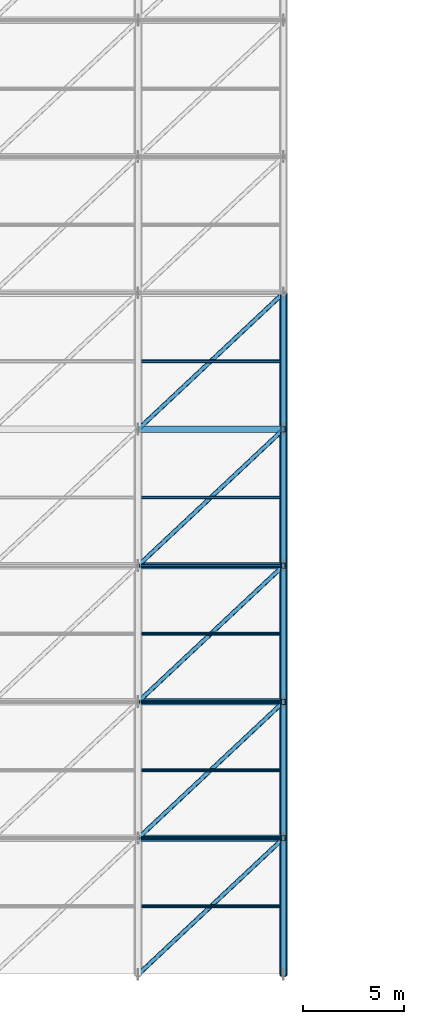
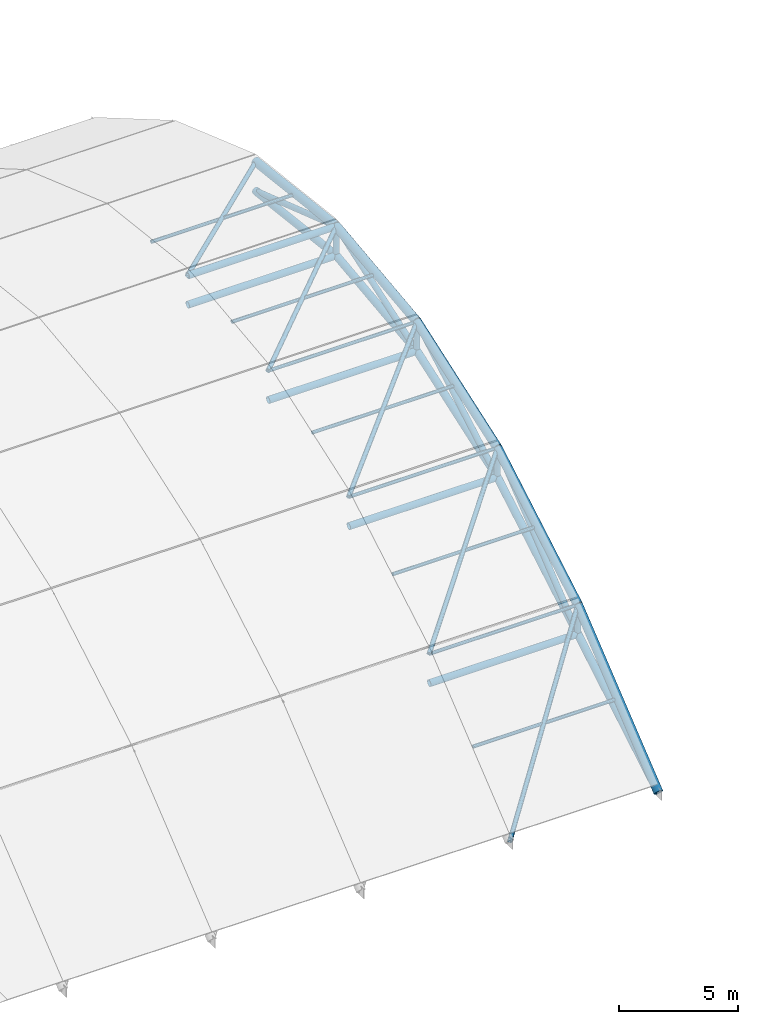
# One storey, part 10 of 72: 32 members, 5 beams.
"""IFC4 building model written with IfcOpenShell, lengths in metres."""

from ifc_helpers import new_model, si_unit, direction, frame, origin, origin_2d, place, context, subcontext, project, spatial, hollow_circle, extrude, material, material_profile, profile_set, type_object, element, save


model = new_model("IFC4")

# Units and contexts
model_context = context("Model", 3, precision=1e-05, world=origin(), true_north=direction((0.0, 1.0)))
body_context = subcontext(model_context, "Body", "Model", "MODEL_VIEW")
ifc_project = project(units=[si_unit("LENGTHUNIT", "METRE"), si_unit("AREAUNIT", "SQUARE_METRE"), si_unit("VOLUMEUNIT", "CUBIC_METRE"), si_unit("PLANEANGLEUNIT", "RADIAN"), si_unit("MASSUNIT", "GRAM", prefix="KILO")], contexts=[model_context])

# Site, building, storey
site_placement = place(None, origin())
site = spatial("IfcSite", under=ifc_project, at=site_placement, CompositionType="ELEMENT")
building_placement = place(site_placement, origin())
building = spatial("IfcBuilding", under=site, at=building_placement, Name="Vaelcorin Mobility Hub", CompositionType="ELEMENT")
storey_placement = place(building_placement, frame((0.0, 0.0, 25.800048828125)))
storey = spatial("IfcBuildingStorey", under=building, at=storey_placement, Name="RF", CompositionType="ELEMENT", Elevation=25.800048828125)

# Members
ifc_material = material(Name="Steel ASTM A500 Grade C", Category="steel")
ifc_material_profile_1 = material_profile(ifc_material, hollow_circle(Radius=0.161865234375, WallThickness=0.0126953125, at=origin_2d()), Name="HSS12.750X0.500")
ifc_profile_set_1 = profile_set([ifc_material_profile_1], Name="Steel ASTM A500 Grade C")
member_type_1 = type_object("IfcMemberType", Name="SF-CHORD-12", PredefinedType="CHORD", material=ifc_profile_set_1)
for number, where, z_axis, x_axis, name in (
    (1, (100.800048828125, 12.75, -15.7880859375), (1.0, 0.0, 0.0), (0.0, 1.0, 0.0), "Space Frame Lower Longitudinal Chord 10-1"),
    (2, (100.800048828125, 19.5, -11.85009765625), (1.0, 0.0, 0.0), (0.0, 1.0, 0.0), "Space Frame Lower Longitudinal Chord 10-2"),
    (3, (100.800048828125, 26.25, -9.488037109375), (1.0, 0.0, 0.0), (0.0, 1.0, 0.0), "Space Frame Lower Longitudinal Chord 10-3"),
    (4, (100.800048828125, 33.0, -7.199951171875), (1.0, 0.0, 0.0), (0.0, 1.0, 0.0), "Space Frame Longitudinal Chord 10-4"),
    (5, (100.800048828125, 33.0, -8.699951171875), (1.0, 0.0, 0.0), (0.0, 1.0, 0.0), "Space Frame Lower Longitudinal Chord 10-4"),
):
    element("IfcMember", number, at=place(storey_placement, frame(where, z_axis=z_axis, x_axis=x_axis)), inside=storey, type_object=member_type_1, Name=name, PredefinedType="CHORD", context=body_context, shape_type="SweptSolid", body=[
        extrude(hollow_circle(Radius=0.161865234375, WallThickness=0.0126953125, at=origin_2d()), origin(), (0.0, 0.0, 1.0), 7.199951171875),
    ])
ifc_material_profile_2 = material_profile(ifc_material, hollow_circle(Radius=0.177734375, WallThickness=0.0126953125, at=origin_2d()), Name="HSS14.000X0.500")
ifc_profile_set_2 = profile_set([ifc_material_profile_2], Name="Steel ASTM A500 Grade C")
member_type_2 = type_object("IfcMemberType", Name="SF-CHORD-14", PredefinedType="CHORD", material=ifc_profile_set_2)
member_1_placement = place(storey_placement, frame((108.0, 6.0, -19.800048828125), z_axis=(0.0, 0.859622623593, 0.510929491229), x_axis=(-1.0, 0.0, 0.0)))
element("IfcMember", 6, at=member_1_placement, inside=storey, type_object=member_type_2, Name="Space Frame Roof Truss Lower Chord 11-1", PredefinedType="CHORD", context=body_context, shape_type="SweptSolid", body=[
    extrude(hollow_circle(Radius=0.177734375, WallThickness=0.0126953125, at=origin_2d()), origin(), (0.0, 0.0, 1.0), 7.852294921875),
])
member_2_placement = place(storey_placement, frame((108.0, 12.75, -15.7880859375), z_axis=(0.0, 0.863751705385, 0.503917643514), x_axis=(-1.0, 0.0, 0.0)))
element("IfcMember", 7, at=member_2_placement, inside=storey, type_object=member_type_2, Name="Space Frame Roof Truss Lower Chord 11-2", PredefinedType="CHORD", context=body_context, shape_type="SweptSolid", body=[
    extrude(hollow_circle(Radius=0.177734375, WallThickness=0.0126953125, at=origin_2d()), origin(), (0.0, 0.0, 1.0), 7.814697265625),
])
member_3_placement = place(storey_placement, frame((108.0, 19.5, -11.85009765625), z_axis=(0.0, 0.943877515247, 0.330295679977), x_axis=(-1.0, 0.0, 0.0)))
element("IfcMember", 8, at=member_3_placement, inside=storey, type_object=member_type_2, Name="Space Frame Roof Truss Lower Chord 11-3", PredefinedType="CHORD", context=body_context, shape_type="SweptSolid", body=[
    extrude(hollow_circle(Radius=0.177734375, WallThickness=0.0126953125, at=origin_2d()), origin(), (0.0, 0.0, 1.0), 7.1513671875),
])
for number, where, z_axis, x_axis, name in (
    (9, (108.0, 26.25, -9.488037109375), (0.0, 0.993253211532, 0.115965761242), (-1.0, 0.0, 0.0), "Space Frame Roof Truss Lower Chord 11-4"),
    (10, (108.0, 33.0, -8.699951171875), (0.0, 0.993253211532, -0.115965761242), (-1.0, 0.0, 0.0), "Space Frame Roof Truss Lower Chord 11-5"),
):
    element("IfcMember", number, at=place(storey_placement, frame(where, z_axis=z_axis, x_axis=x_axis)), inside=storey, type_object=member_type_2, Name=name, PredefinedType="CHORD", context=body_context, shape_type="SweptSolid", body=[
        extrude(hollow_circle(Radius=0.177734375, WallThickness=0.0126953125, at=origin_2d()), origin(), (0.0, 0.0, 1.0), 6.7958984375),
    ])
ifc_material_profile_3 = material_profile(ifc_material, hollow_circle(Radius=0.136474609375, WallThickness=0.0126953125, at=origin_2d()), Name="HSS10.750X0.500")
ifc_profile_set_3 = profile_set([ifc_material_profile_3], Name="Steel ASTM A500 Grade C")
member_type_3 = type_object("IfcMemberType", Name="SF-DIAG-10", PredefinedType="BRACE", material=ifc_profile_set_3)
member_4_placement = place(storey_placement, frame((108.0, 6.0, -19.800048828125), z_axis=(0.0, 0.774562321982, 0.632497596332), x_axis=(-1.0, 0.0, 0.0)))
element("IfcMember", 11, at=member_4_placement, inside=storey, type_object=member_type_3, Name="Space Frame Roof Truss Web Diagonal 11-1", PredefinedType="BRACE", context=body_context, shape_type="SweptSolid", body=[
    extrude(hollow_circle(Radius=0.136474609375, WallThickness=0.0126953125, at=origin_2d()), origin(), (0.0, 0.0, 1.0), 8.714599609375),
])
member_5_placement = place(storey_placement, frame((108.0, 12.75, -15.7880859375), z_axis=(0.0, 0.778726388415, 0.627363699926), x_axis=(-1.0, 0.0, 0.0)))
element("IfcMember", 12, at=member_5_placement, inside=storey, type_object=member_type_3, Name="Space Frame Roof Truss Web Diagonal 11-2", PredefinedType="BRACE", context=body_context, shape_type="SweptSolid", body=[
    extrude(hollow_circle(Radius=0.136474609375, WallThickness=0.0126953125, at=origin_2d()), origin(), (0.0, 0.0, 1.0), 8.66796875),
])
member_6_placement = place(storey_placement, frame((108.0, 19.5, -11.85009765625), z_axis=(0.0, 0.867970611296, 0.496615563516), x_axis=(-1.0, 0.0, 0.0)))
element("IfcMember", 13, at=member_6_placement, inside=storey, type_object=member_type_3, Name="Space Frame Roof Truss Web Diagonal 11-3", PredefinedType="BRACE", context=body_context, shape_type="SweptSolid", body=[
    extrude(hollow_circle(Radius=0.136474609375, WallThickness=0.0126953125, at=origin_2d()), origin(), (0.0, 0.0, 1.0), 7.77685546875),
])
for number, where, z_axis, x_axis, name in (
    (14, (108.0, 26.25, -9.488037109375), (0.0, 0.947067997683, 0.321033032201), (-1.0, 0.0, 0.0), "Space Frame Roof Truss Web Diagonal 11-4"),
    (15, (108.0, 33.0, -7.199951171875), (0.0, 0.947067997683, -0.321033032201), (-1.0, 0.0, 0.0), "Space Frame Roof Truss Web Diagonal 11-5"),
):
    element("IfcMember", number, at=place(storey_placement, frame(where, z_axis=z_axis, x_axis=x_axis)), inside=storey, type_object=member_type_3, Name=name, PredefinedType="BRACE", context=body_context, shape_type="SweptSolid", body=[
        extrude(hollow_circle(Radius=0.136474609375, WallThickness=0.0126953125, at=origin_2d()), origin(), (0.0, 0.0, 1.0), 7.127197265625),
    ])
ifc_material_profile_4 = material_profile(ifc_material, hollow_circle(Radius=0.109619140625, WallThickness=0.009521484375, at=origin_2d()), Name="HSS8.625X0.375")
ifc_profile_set_4 = profile_set([ifc_material_profile_4], Name="Steel ASTM A500 Grade C")
member_type_4 = type_object("IfcMemberType", Name="SF-DIAG-8", PredefinedType="BRACE", material=ifc_profile_set_4)
member_7_placement = place(storey_placement, frame((100.800048828125, 6.0, -19.800048828125), z_axis=(0.636930590236, 0.59712647787, 0.487605775856), x_axis=(-0.683943597489, 0.729534889813, 0.0)))
element("IfcMember", 16, at=member_7_placement, inside=storey, type_object=member_type_4, Name="Space Frame Bracing Diagonal 10-1", PredefinedType="BRACE", context=body_context, shape_type="SweptSolid", body=[
    extrude(hollow_circle(Radius=0.109619140625, WallThickness=0.009521484375, at=origin_2d()), origin(), (0.0, 0.0, 1.0), 11.30419921875),
])
member_8_placement = place(storey_placement, frame((100.800048828125, 12.75, -14.2880859375), z_axis=(0.677585674596, 0.635240877937, 0.370603130828), x_axis=(-0.683943597489, 0.729534889813, 0.0)))
element("IfcMember", 17, at=member_8_placement, inside=storey, type_object=member_type_4, Name="Space Frame Bracing Diagonal 10-2", PredefinedType="BRACE", context=body_context, shape_type="SweptSolid", body=[
    extrude(hollow_circle(Radius=0.109619140625, WallThickness=0.009521484375, at=origin_2d()), origin(), (0.0, 0.0, 1.0), 10.6259765625),
])
member_9_placement = place(storey_placement, frame((100.800048828125, 19.5, -10.35009765625), z_axis=(0.709497274068, 0.665158205331, 0.232762067295), x_axis=(-0.683943597489, 0.729534889813, 0.0)))
element("IfcMember", 18, at=member_9_placement, inside=storey, type_object=member_type_4, Name="Space Frame Bracing Diagonal 10-3", PredefinedType="BRACE", context=body_context, shape_type="SweptSolid", body=[
    extrude(hollow_circle(Radius=0.109619140625, WallThickness=0.009521484375, at=origin_2d()), origin(), (0.0, 0.0, 1.0), 10.14794921875),
])
for number, where, z_axis, x_axis, name in (
    (19, (100.800048828125, 26.25, -7.988037109375), (0.727220026483, 0.6817733984, 0.079599411532), (-0.683943597489, 0.729534889813, 0.0), "Space Frame Bracing Diagonal 10-4"),
    (20, (100.800048828125, 33.0, -7.199951171875), (0.727220026483, 0.6817733984, -0.079599411532), (-0.683943597489, 0.729534889813, 0.0), "Space Frame Bracing Diagonal 10-5"),
):
    element("IfcMember", number, at=place(storey_placement, frame(where, z_axis=z_axis, x_axis=x_axis)), inside=storey, type_object=member_type_4, Name=name, PredefinedType="BRACE", context=body_context, shape_type="SweptSolid", body=[
        extrude(hollow_circle(Radius=0.109619140625, WallThickness=0.009521484375, at=origin_2d()), origin(), (0.0, 0.0, 1.0), 9.900634765625),
    ])
ifc_material_profile_5 = material_profile(ifc_material, hollow_circle(Radius=0.136474609375, WallThickness=0.0126953125, at=origin_2d()), Name="HSS10.750X0.500")
ifc_profile_set_5 = profile_set([ifc_material_profile_5], Name="Steel ASTM A500 Grade C")
member_type_5 = type_object("IfcMemberType", Name="SF-POST-10", PredefinedType="POST", material=ifc_profile_set_5)
for number, where, z_axis, x_axis, name in (
    (21, (108.0, 12.75, -15.7880859375), (0.0, 0.0, 1.0), (1.0, 0.0, 0.0), "Space Frame Roof Truss Post 11-1"),
    (22, (108.0, 19.5, -11.85009765625), (0.0, 0.0, 1.0), (1.0, 0.0, 0.0), "Space Frame Roof Truss Post 11-2"),
    (23, (108.0, 26.25, -9.488037109375), (0.0, 0.0, 1.0), (1.0, 0.0, 0.0), "Space Frame Roof Truss Post 11-3"),
    (24, (108.0, 33.0, -8.699951171875), (0.0, 0.0, 1.0), (1.0, 0.0, 0.0), "Space Frame Roof Truss Post 11-4"),
):
    element("IfcMember", number, at=place(storey_placement, frame(where, z_axis=z_axis, x_axis=x_axis)), inside=storey, type_object=member_type_5, Name=name, PredefinedType="POST", context=body_context, shape_type="SweptSolid", body=[
        extrude(hollow_circle(Radius=0.136474609375, WallThickness=0.0126953125, at=origin_2d()), origin(), (0.0, 0.0, 1.0), 1.5),
    ])
ifc_material_profile_6 = material_profile(ifc_material, hollow_circle(Radius=0.084228515625, WallThickness=0.0078125, at=origin_2d()), Name="HSS6.625X0.312")
ifc_profile_set_6 = profile_set([ifc_material_profile_6], Name="Steel ASTM A500 Grade C")
member_type_6 = type_object("IfcMemberType", Name="SF-PURL-6", PredefinedType="PURLIN", material=ifc_profile_set_6)
for number, where, z_axis, x_axis, name in (
    (25, (100.800048828125, 12.75, -14.2880859375), (1.0, 0.0, 0.0), (0.0, 1.0, 0.0), "Space Frame Longitudinal Chord 10-1"),
    (26, (100.800048828125, 19.5, -10.35009765625), (1.0, 0.0, 0.0), (0.0, 1.0, 0.0), "Space Frame Longitudinal Chord 10-2"),
    (27, (100.800048828125, 26.25, -7.988037109375), (1.0, 0.0, 0.0), (0.0, 1.0, 0.0), "Space Frame Longitudinal Chord 10-3"),
):
    element("IfcMember", number, at=place(storey_placement, frame(where, z_axis=z_axis, x_axis=x_axis)), inside=storey, type_object=member_type_6, Name=name, PredefinedType="PURLIN", context=body_context, shape_type="SweptSolid", body=[
        extrude(hollow_circle(Radius=0.084228515625, WallThickness=0.0078125, at=origin_2d()), origin(), (0.0, 0.0, 1.0), 7.199951171875),
    ])
for number, where, z_axis, x_axis, name in (
    (28, (100.97998046875, 9.375, -17.0439453125), (1.0, 0.0, 0.0), (0.0, 1.0, 0.0), "Space Frame Secondary Purlin 10-1"),
    (29, (100.97998046875, 16.125, -12.319091796875), (1.0, 0.0, 0.0), (0.0, 1.0, 0.0), "Space Frame Secondary Purlin 10-2"),
    (30, (100.97998046875, 22.875, -9.1689453125), (1.0, 0.0, 0.0), (0.0, 1.0, 0.0), "Space Frame Secondary Purlin 10-3"),
    (31, (100.97998046875, 29.625, -7.593994140625), (1.0, 0.0, 0.0), (0.0, 1.0, 0.0), "Space Frame Secondary Purlin 10-4"),
    (32, (100.97998046875, 36.375, -7.593994140625), (1.0, 0.0, 0.0), (0.0, 1.0, 0.0), "Space Frame Secondary Purlin 10-5"),
):
    element("IfcMember", number, at=place(storey_placement, frame(where, z_axis=z_axis, x_axis=x_axis)), inside=storey, type_object=member_type_6, Name=name, PredefinedType="PURLIN", context=body_context, shape_type="SweptSolid", body=[
        extrude(hollow_circle(Radius=0.084228515625, WallThickness=0.0078125, at=origin_2d()), origin(), (0.0, 0.0, 1.0), 6.840087890625),
    ])

# Beams
ifc_material_profile_7 = material_profile(ifc_material, hollow_circle(Radius=0.203125, WallThickness=0.015869140625, at=origin_2d()), Name="HSS16.000X0.625")
ifc_profile_set_7 = profile_set([ifc_material_profile_7], Name="Steel ASTM A500 Grade C")
beam_type = type_object("IfcBeamType", Name="TR-CHORD-16", PredefinedType="BEAM", material=ifc_profile_set_7)
beam_1_placement = place(storey_placement, frame((108.0, 6.0, -19.800048828125), z_axis=(0.0, 0.774562321982, 0.632497596332), x_axis=(-1.0, 0.0, 0.0)))
element("IfcBeam", 33, at=beam_1_placement, inside=storey, type_object=beam_type, Name="Space Frame Roof Truss Upper Chord 11-1", PredefinedType="BEAM", context=body_context, shape_type="SweptSolid", body=[
    extrude(hollow_circle(Radius=0.203125, WallThickness=0.015869140625, at=origin_2d()), origin(), (0.0, 0.0, 1.0), 8.714599609375),
])
beam_2_placement = place(storey_placement, frame((108.0, 12.75, -14.2880859375), z_axis=(0.0, 0.863751705385, 0.503917643514), x_axis=(-1.0, 0.0, 0.0)))
element("IfcBeam", 34, at=beam_2_placement, inside=storey, type_object=beam_type, Name="Space Frame Roof Truss Upper Chord 11-2", PredefinedType="BEAM", context=body_context, shape_type="SweptSolid", body=[
    extrude(hollow_circle(Radius=0.203125, WallThickness=0.015869140625, at=origin_2d()), origin(), (0.0, 0.0, 1.0), 7.814697265625),
])
beam_3_placement = place(storey_placement, frame((108.0, 19.5, -10.35009765625), z_axis=(0.0, 0.943877515247, 0.330295679977), x_axis=(-1.0, 0.0, 0.0)))
element("IfcBeam", 35, at=beam_3_placement, inside=storey, type_object=beam_type, Name="Space Frame Roof Truss Upper Chord 11-3", PredefinedType="BEAM", context=body_context, shape_type="SweptSolid", body=[
    extrude(hollow_circle(Radius=0.203125, WallThickness=0.015869140625, at=origin_2d()), origin(), (0.0, 0.0, 1.0), 7.1513671875),
])
for number, where, z_axis, x_axis, name in (
    (36, (108.0, 26.25, -7.988037109375), (0.0, 0.993253211532, 0.115965761242), (-1.0, 0.0, 0.0), "Space Frame Roof Truss Upper Chord 11-4"),
    (37, (108.0, 33.0, -7.199951171875), (0.0, 0.993253211532, -0.115965761242), (-1.0, 0.0, 0.0), "Space Frame Roof Truss Upper Chord 11-5"),
):
    element("IfcBeam", number, at=place(storey_placement, frame(where, z_axis=z_axis, x_axis=x_axis)), inside=storey, type_object=beam_type, Name=name, PredefinedType="BEAM", context=body_context, shape_type="SweptSolid", body=[
        extrude(hollow_circle(Radius=0.203125, WallThickness=0.015869140625, at=origin_2d()), origin(), (0.0, 0.0, 1.0), 6.7958984375),
    ])

save(model, "model.ifc")
